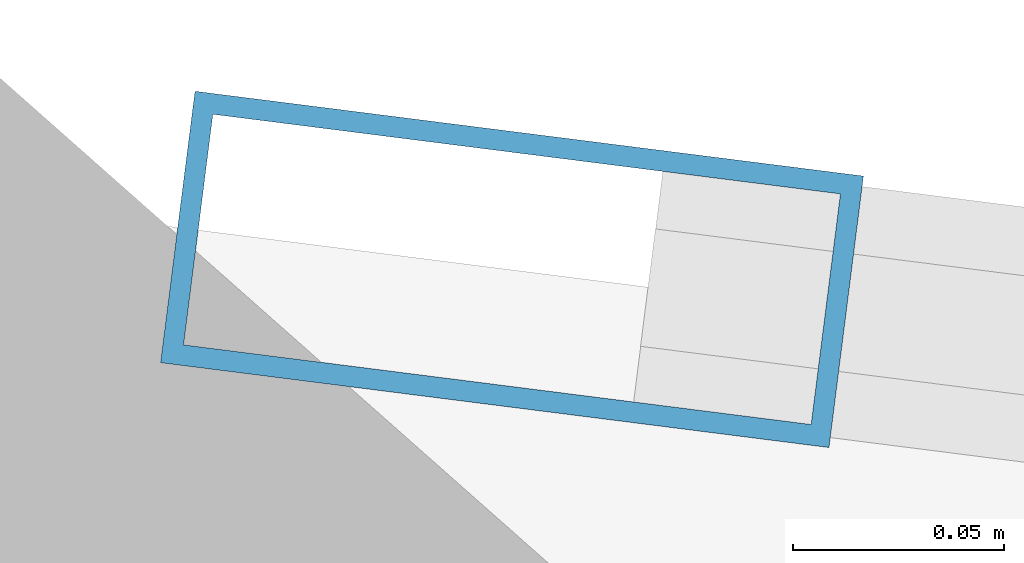
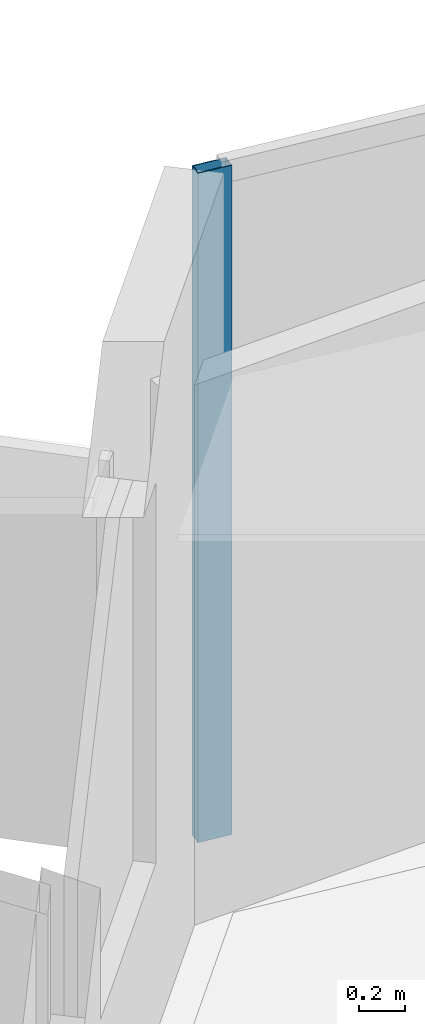
# One storey, part 16 of 23: 1 member, 1 element without a shape of its own.
"""IFC4 building model written with IfcOpenShell, lengths in metres."""

from ifc_helpers import new_model, si_unit, direction, frame, origin, origin_2d, place, context, subcontext, project, spatial, hollow_rectangle, extrude, material, layer, layer_set, material_profile, profile_set, type_object, element, aggregate, save


model = new_model("IFC4")

# Units and contexts
model_context = context("Model", 3, precision=1e-05, world=origin(), true_north=direction((0.0, 1.0)))
body_context = subcontext(model_context, "Body", "Model", "MODEL_VIEW")
ifc_project = project(units=[si_unit("LENGTHUNIT", "METRE"), si_unit("AREAUNIT", "SQUARE_METRE"), si_unit("VOLUMEUNIT", "CUBIC_METRE"), si_unit("PLANEANGLEUNIT", "RADIAN"), si_unit("MASSUNIT", "GRAM", prefix="KILO")], contexts=[model_context])

# Site, building, storey
site_placement = place(None, origin())
site = spatial("IfcSite", under=ifc_project, at=site_placement, CompositionType="ELEMENT")
building_placement = place(site_placement, origin())
building = spatial("IfcBuilding", under=site, at=building_placement, Name="Qianvela Tower", CompositionType="ELEMENT")
storey_placement = place(building_placement, frame((0.0, 0.0, 218.800048828125)))
storey = spatial("IfcBuildingStorey", under=building, at=storey_placement, Name="L56", CompositionType="ELEMENT", Elevation=218.800048828125)

# Curtain wall, member
ifc_material_1 = material(Name="Anodised Architectural Aluminium and Low-E Glass", Category="aluminium")
ifc_layer = layer(ifc_material_1, 0.159912109375)
ifc_layer_set = layer_set([ifc_layer], Name="Anodised Architectural Aluminium and Low-E Glass")
curtain_wall_type = type_object("IfcCurtainWallType", Name="CW-COLIV-Z56", PredefinedType="USERDEFINED", material=ifc_layer_set)
curtain_wall_placement = place(storey_placement, origin())
curtain_wall = element("IfcCurtainWall", 1, at=curtain_wall_placement, inside=storey, type_object=curtain_wall_type, Name="L56 CW-COLIV-Z56 Curtain Wall 02C", ObjectType="CURTAIN_WALL_SYSTEM", PredefinedType="USERDEFINED")
ifc_material_2 = material(Name="Anodised Architectural Aluminium 6063-T6", Category="aluminium")
ifc_material_profile = material_profile(ifc_material_2, hollow_rectangle(XDim=0.06494140625, YDim=0.159912109375, WallThickness=0.0048828125, at=origin_2d()), Name="ALU-MULL-65x160")
ifc_profile_set = profile_set([ifc_material_profile], Name="Anodised Architectural Aluminium 6063-T6")
member_type = type_object("IfcMemberType", Name="CW-COLIV-Z56-MULL", PredefinedType="MULLION", material=ifc_profile_set)
member_placement = place(storey_placement, frame((23.982666015625, 39.38671875, 0.0), z_axis=(0.0, 0.0, 1.0), x_axis=(-0.125902539925, -0.992042615234, 0.0)))
member = element("IfcMember", 2, at=member_placement, type_object=member_type, Name="CW-5 mullion 3", PredefinedType="MULLION", context=body_context, shape_type="SweptSolid", body=[
    extrude(hollow_rectangle(XDim=0.06494140625, YDim=0.159912109375, WallThickness=0.0048828125, at=origin_2d()), origin(), (0.0, 0.0, 1.0), 3.52001953125),
])
aggregate(curtain_wall, [member])

save(model, "model.ifc")
